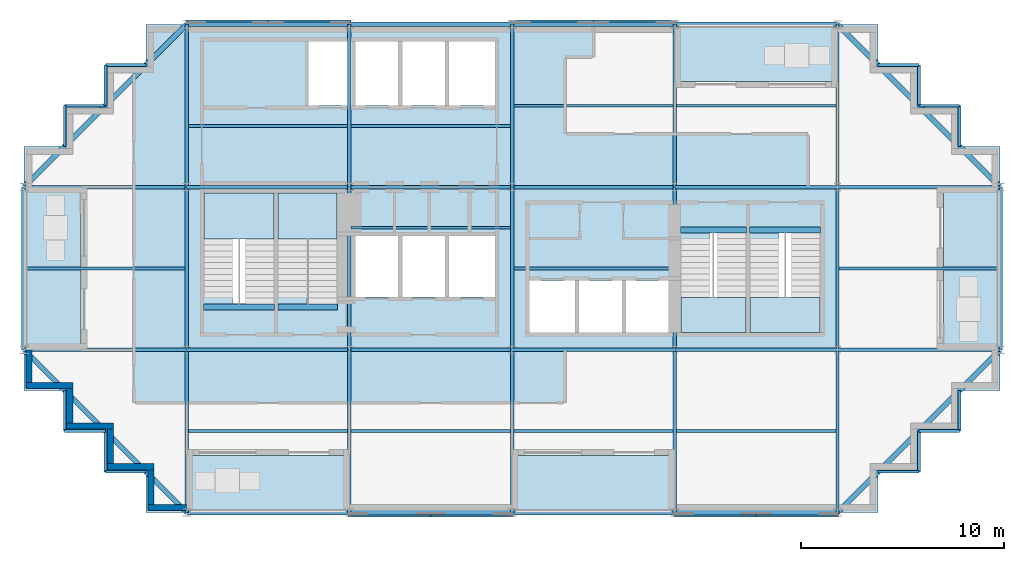
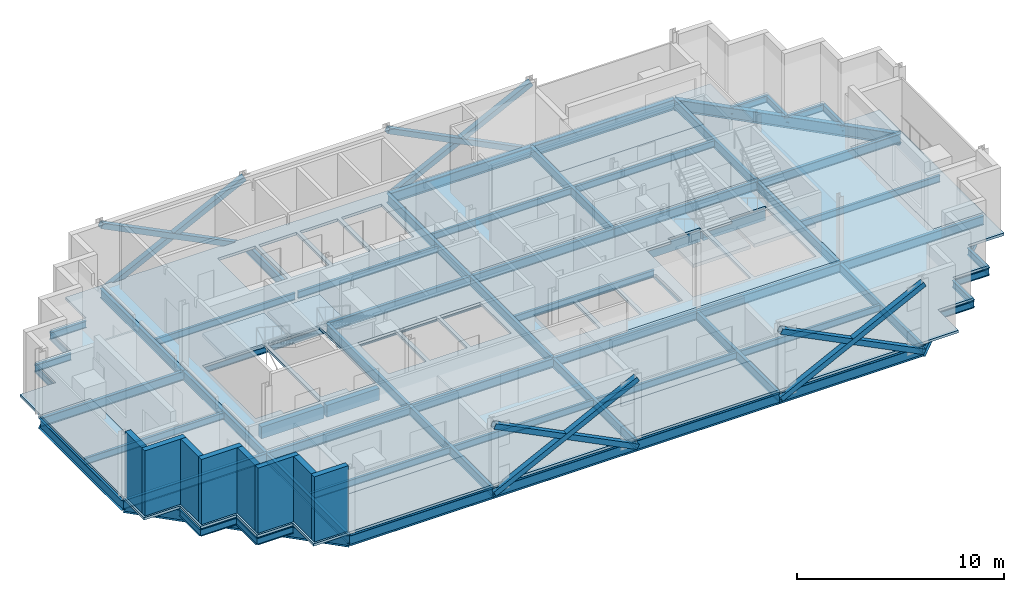
# One storey, part 3 of 9: 73 beams, 12 slabs, 8 members, 8 walls, 4 elements without a shape of their own.
"""IFC4 building model written with IfcOpenShell, lengths in metres."""

from ifc_helpers import new_model, si_unit, direction, frame, frame_2d, origin, origin_2d, place, context, subcontext, project, spatial, polyline, rectangle, hollow_rectangle, i_section, outline, extrude, material, layer, layer_set, material_profile, profile_set, type_object, element, aggregate, save


model = new_model("IFC4")

# Units and contexts
model_context = context("Model", 3, precision=1e-05, world=origin(), true_north=direction((0.0, 1.0)))
body_context = subcontext(model_context, "Body", "Model", "MODEL_VIEW")
ifc_project = project(units=[si_unit("LENGTHUNIT", "METRE"), si_unit("AREAUNIT", "SQUARE_METRE"), si_unit("VOLUMEUNIT", "CUBIC_METRE"), si_unit("PLANEANGLEUNIT", "RADIAN"), si_unit("MASSUNIT", "GRAM", prefix="KILO")], contexts=[model_context])

# Site, building, storey
site_placement = place(None, origin())
site = spatial("IfcSite", under=ifc_project, at=site_placement, CompositionType="ELEMENT")
building_placement = place(site_placement, origin())
building = spatial("IfcBuilding", under=site, at=building_placement, Name="Immortelle Media Tower", CompositionType="ELEMENT")
storey_placement = place(building_placement, frame((0.0, 0.0, 271.0)))
storey = spatial("IfcBuildingStorey", under=building, at=storey_placement, Name="L59", CompositionType="ELEMENT", Elevation=271.0)

# Members
ifc_material_1 = material(Name="Steel ASTM A500 Gr C", Category="steel")
ifc_material_profile_1 = material_profile(ifc_material_1, hollow_rectangle(XDim=0.304931640625, YDim=0.304931640625, WallThickness=0.011962890625, at=origin_2d()), Name="HSS12x12x1/2 brace")
ifc_profile_set_1 = profile_set([ifc_material_profile_1], Name="Steel ASTM A500 Gr C")
member_type = type_object("IfcMemberType", Name="HSS12x12x1/2 brace", PredefinedType="BRACE", material=ifc_profile_set_1)
for number, where, z_axis, x_axis, name in (
    (1, (16.0, -0.0625, -0.4560546875), (0.894197847985, 0.0, 0.447671987799), (0.0, 1.0, 0.0), "Brace A/3-4 A"),
    (2, (16.0, -0.0625, 3.549072265625), (0.894197847985, 0.0, -0.447671987799), (0.0, 1.0, 0.0), "Brace A/3-4 B"),
    (3, (32.0, -0.0625, -0.4560546875), (0.894197847985, 0.0, 0.447671987799), (0.0, 1.0, 0.0), "Brace A/5-6 A"),
    (4, (32.0, -0.0625, 3.549072265625), (0.894197847985, 0.0, -0.447671987799), (0.0, 1.0, 0.0), "Brace A/5-6 B"),
    (5, (32.0, 24.0625, -0.4560546875), (-0.894197847985, 0.0, 0.447671987799), (0.0, -1.0, 0.0), "Brace D/4-5 A"),
    (6, (32.0, 24.0625, 3.549072265625), (-0.894197847985, 0.0, -0.447671987799), (0.0, -1.0, 0.0), "Brace D/4-5 B"),
    (7, (16.0, 24.0625, -0.4560546875), (-0.894197847985, 0.0, 0.447671987799), (0.0, -1.0, 0.0), "Brace D/2-3 A"),
    (8, (16.0, 24.0625, 3.549072265625), (-0.894197847985, 0.0, -0.447671987799), (0.0, -1.0, 0.0), "Brace D/2-3 B"),
):
    element("IfcMember", number, at=place(storey_placement, frame(where, z_axis=z_axis, x_axis=x_axis)), inside=storey, type_object=member_type, Name=name, PredefinedType="BRACE", context=body_context, shape_type="SweptSolid", body=[
        extrude(hollow_rectangle(XDim=0.304931640625, YDim=0.304931640625, WallThickness=0.011962890625, at=origin_2d()), origin(), (0.0, 0.0, 1.0), 8.946533203125),
    ])

# Beams
ifc_material_2 = material(Name="Concrete C50/60", Category="concrete")
ifc_material_profile_2 = material_profile(ifc_material_2, rectangle(XDim=0.300048828125, YDim=0.699951171875, at=origin_2d()), Name="RC 300x700")
ifc_profile_set_2 = profile_set([ifc_material_profile_2], Name="Concrete C50/60")
beam_type_1 = type_object("IfcBeamType", Name="Stair trimmer beam 300 x 700", PredefinedType="BEAM", material=ifc_profile_set_2)
beam_1_placement = place(storey_placement, frame((8.830078125, 10.10498046875, -0.5), z_axis=(1.0, 0.0, 0.0), x_axis=(0.0, 1.0, 0.0)))
element("IfcBeam", 9, at=beam_1_placement, inside=storey, type_object=beam_type_1, Name="Stair trimmer beam SW1", PredefinedType="BEAM", context=body_context, shape_type="SweptSolid", body=[
    extrude(rectangle(XDim=0.300048828125, YDim=0.699951171875, at=origin_2d()), origin(), (0.0, 0.0, 1.0), 3.489990234375),
])
beam_2_placement = place(storey_placement, frame((12.47998046875, 10.10498046875, -0.5), z_axis=(1.0, 0.0, 0.0), x_axis=(0.0, 1.0, 0.0)))
element("IfcBeam", 10, at=beam_2_placement, inside=storey, type_object=beam_type_1, Name="Stair trimmer beam SW2", PredefinedType="BEAM", context=body_context, shape_type="SweptSolid", body=[
    extrude(rectangle(XDim=0.300048828125, YDim=0.699951171875, at=origin_2d()), origin(), (0.0, 0.0, 1.0), 2.93994140625),
])
beam_3_placement = place(storey_placement, frame((32.280029296875, 13.89501953125, -0.5), z_axis=(1.0, 0.0, 0.0), x_axis=(0.0, 1.0, 0.0)))
element("IfcBeam", 11, at=beam_3_placement, inside=storey, type_object=beam_type_1, Name="Stair trimmer beam SE1", PredefinedType="BEAM", context=body_context, shape_type="SweptSolid", body=[
    extrude(rectangle(XDim=0.300048828125, YDim=0.699951171875, at=origin_2d()), origin(), (0.0, 0.0, 1.0), 3.239990234375),
])
beam_4_placement = place(storey_placement, frame((35.679931640625, 13.89501953125, -0.5), z_axis=(1.0, 0.0, 0.0), x_axis=(0.0, 1.0, 0.0)))
element("IfcBeam", 12, at=beam_4_placement, inside=storey, type_object=beam_type_1, Name="Stair trimmer beam SE2", PredefinedType="BEAM", context=body_context, shape_type="SweptSolid", body=[
    extrude(rectangle(XDim=0.300048828125, YDim=0.699951171875, at=origin_2d()), origin(), (0.0, 0.0, 1.0), 3.489990234375),
])
ifc_material_3 = material(Name="Steel ASTM A992 Gr 50", Category="steel")
ifc_material_profile_3 = material_profile(ifc_material_3, i_section(OverallWidth=0.139892578125, OverallDepth=0.404052734375, WebThickness=0.007080078125, FlangeThickness=0.010986328125, at=origin_2d()), Name="W16x31")
ifc_profile_set_3 = profile_set([ifc_material_profile_3], Name="Steel ASTM A992 Gr 50")
beam_type_2 = type_object("IfcBeamType", Name="W16x31 secondary beam", PredefinedType="JOIST", material=ifc_profile_set_3)
for number, where, z_axis, x_axis, name in (
    (13, (8.08349609375, 4.0, -0.35205078125), (1.0, 0.0, 0.0), (0.0, 1.0, 0.0), "Beam A-B/2-3"),
    (14, (16.08349609375, 4.0, -0.35205078125), (1.0, 0.0, 0.0), (0.0, 1.0, 0.0), "Beam A-B/3-4"),
    (15, (24.08349609375, 4.0, -0.35205078125), (1.0, 0.0, 0.0), (0.0, 1.0, 0.0), "Beam A-B/4-5"),
    (16, (32.08349609375, 4.0, -0.35205078125), (1.0, 0.0, 0.0), (0.0, 1.0, 0.0), "Beam A-B/5-6"),
):
    element("IfcBeam", number, at=place(storey_placement, frame(where, z_axis=z_axis, x_axis=x_axis)), inside=storey, type_object=beam_type_2, Name=name, PredefinedType="JOIST", context=body_context, shape_type="SweptSolid", body=[
        extrude(i_section(OverallWidth=0.139892578125, OverallDepth=0.404052734375, WebThickness=0.007080078125, FlangeThickness=0.010986328125, at=origin_2d()), origin(), (0.0, 0.0, 1.0), 7.8330078125),
    ])
beam_5_placement = place(storey_placement, frame((0.114501953125, 12.0, -0.35205078125), z_axis=(1.0, 0.0, 0.0), x_axis=(0.0, 1.0, 0.0)))
element("IfcBeam", 17, at=beam_5_placement, inside=storey, type_object=beam_type_2, Name="Beam B-C/1-2", PredefinedType="JOIST", context=body_context, shape_type="SweptSolid", body=[
    extrude(i_section(OverallWidth=0.139892578125, OverallDepth=0.404052734375, WebThickness=0.007080078125, FlangeThickness=0.010986328125, at=origin_2d()), origin(), (0.0, 0.0, 1.0), 7.802001953125),
])
for number, where, z_axis, x_axis, name in (
    (18, (16.08349609375, 14.0, -0.35205078125), (1.0, 0.0, 0.0), (0.0, 1.0, 0.0), "Beam B-C/3-4"),
    (19, (24.08349609375, 12.0, -0.35205078125), (1.0, 0.0, 0.0), (0.0, 1.0, 0.0), "Beam B-C/4-5"),
):
    element("IfcBeam", number, at=place(storey_placement, frame(where, z_axis=z_axis, x_axis=x_axis)), inside=storey, type_object=beam_type_2, Name=name, PredefinedType="JOIST", context=body_context, shape_type="SweptSolid", body=[
        extrude(i_section(OverallWidth=0.139892578125, OverallDepth=0.404052734375, WebThickness=0.007080078125, FlangeThickness=0.010986328125, at=origin_2d()), origin(), (0.0, 0.0, 1.0), 7.8330078125),
    ])
beam_6_placement = place(storey_placement, frame((40.08349609375, 12.0, -0.35205078125), z_axis=(1.0, 0.0, 0.0), x_axis=(0.0, 1.0, 0.0)))
element("IfcBeam", 20, at=beam_6_placement, inside=storey, type_object=beam_type_2, Name="Beam B-C/6-7", PredefinedType="JOIST", context=body_context, shape_type="SweptSolid", body=[
    extrude(i_section(OverallWidth=0.139892578125, OverallDepth=0.404052734375, WebThickness=0.007080078125, FlangeThickness=0.010986328125, at=origin_2d()), origin(), (0.0, 0.0, 1.0), 7.802001953125),
])
for number, where, z_axis, x_axis, name in (
    (21, (8.08349609375, 19.0, -0.35205078125), (1.0, 0.0, 0.0), (0.0, 1.0, 0.0), "Beam C-D/2-3"),
    (22, (16.08349609375, 19.0, -0.35205078125), (1.0, 0.0, 0.0), (0.0, 1.0, 0.0), "Beam C-D/3-4"),
    (23, (24.08349609375, 20.0, -0.35205078125), (1.0, 0.0, 0.0), (0.0, 1.0, 0.0), "Beam C-D/4-5"),
    (24, (32.08349609375, 20.0, -0.35205078125), (1.0, 0.0, 0.0), (0.0, 1.0, 0.0), "Beam C-D/5-6"),
):
    element("IfcBeam", number, at=place(storey_placement, frame(where, z_axis=z_axis, x_axis=x_axis)), inside=storey, type_object=beam_type_2, Name=name, PredefinedType="JOIST", context=body_context, shape_type="SweptSolid", body=[
        extrude(i_section(OverallWidth=0.139892578125, OverallDepth=0.404052734375, WebThickness=0.007080078125, FlangeThickness=0.010986328125, at=origin_2d()), origin(), (0.0, 0.0, 1.0), 7.8330078125),
    ])
ifc_material_profile_4 = material_profile(ifc_material_3, i_section(OverallWidth=0.139892578125, OverallDepth=0.404052734375, WebThickness=0.007080078125, FlangeThickness=0.010986328125, at=origin_2d()), Name="W16x31")
ifc_profile_set_4 = profile_set([ifc_material_profile_4], Name="Steel ASTM A992 Gr 50")
beam_type_3 = type_object("IfcBeamType", Name="W16x31 serration edge beam", PredefinedType="SPANDREL", material=ifc_profile_set_4)
for number, where, z_axis, x_axis, name in (
    (25, (6.0, 2.0, -0.35205078125), (-1.0, 0.0, 0.0), (0.0, -1.0, 0.0), "Corner edge beam 1 at 1/A"),
    (26, (4.0, 2.0, -0.35205078125), (0.0, 1.0, 0.0), (-1.0, 0.0, 0.0), "Corner edge beam 2 at 1/A"),
    (27, (4.0, 4.0, -0.35205078125), (-1.0, 0.0, 0.0), (0.0, -1.0, 0.0), "Corner edge beam 3 at 1/A"),
    (28, (2.0, 4.0, -0.35205078125), (0.0, 1.0, 0.0), (-1.0, 0.0, 0.0), "Corner edge beam 4 at 1/A"),
    (29, (2.0, 18.0, -0.35205078125), (0.0, 1.0, 0.0), (-1.0, 0.0, 0.0), "Corner edge beam 1 at 1/D"),
    (30, (2.0, 20.0, -0.35205078125), (1.0, 0.0, 0.0), (0.0, 1.0, 0.0), "Corner edge beam 2 at 1/D"),
    (31, (4.0, 20.0, -0.35205078125), (0.0, 1.0, 0.0), (-1.0, 0.0, 0.0), "Corner edge beam 3 at 1/D"),
    (32, (4.0, 22.0, -0.35205078125), (1.0, 0.0, 0.0), (0.0, 1.0, 0.0), "Corner edge beam 4 at 1/D"),
    (33, (46.0, 6.0, -0.35205078125), (0.0, -1.0, 0.0), (1.0, 0.0, 0.0), "Corner edge beam 1 at 7/A"),
    (34, (46.0, 4.0, -0.35205078125), (-1.0, 0.0, 0.0), (0.0, -1.0, 0.0), "Corner edge beam 2 at 7/A"),
    (35, (44.0, 4.0, -0.35205078125), (0.0, -1.0, 0.0), (1.0, 0.0, 0.0), "Corner edge beam 3 at 7/A"),
    (36, (44.0, 2.0, -0.35205078125), (-1.0, 0.0, 0.0), (0.0, -1.0, 0.0), "Corner edge beam 4 at 7/A"),
    (37, (42.0, 22.0, -0.35205078125), (1.0, 0.0, 0.0), (0.0, 1.0, 0.0), "Corner edge beam 1 at 7/D"),
    (38, (44.0, 22.0, -0.35205078125), (0.0, -1.0, 0.0), (1.0, 0.0, 0.0), "Corner edge beam 2 at 7/D"),
    (39, (44.0, 20.0, -0.35205078125), (1.0, 0.0, 0.0), (0.0, 1.0, 0.0), "Corner edge beam 3 at 7/D"),
    (40, (46.0, 20.0, -0.35205078125), (0.0, -1.0, 0.0), (1.0, 0.0, 0.0), "Corner edge beam 4 at 7/D"),
):
    element("IfcBeam", number, at=place(storey_placement, frame(where, z_axis=z_axis, x_axis=x_axis)), inside=storey, type_object=beam_type_3, Name=name, PredefinedType="SPANDREL", context=body_context, shape_type="SweptSolid", body=[
        extrude(i_section(OverallWidth=0.139892578125, OverallDepth=0.404052734375, WebThickness=0.007080078125, FlangeThickness=0.010986328125, at=origin_2d()), origin(), (0.0, 0.0, 1.0), 2.0),
    ])
ifc_material_profile_5 = material_profile(ifc_material_3, i_section(OverallWidth=0.1669921875, OverallDepth=0.535888671875, WebThickness=0.010009765625, FlangeThickness=0.01708984375, at=origin_2d()), Name="W21x57")
ifc_profile_set_5 = profile_set([ifc_material_profile_5], Name="Steel ASTM A992 Gr 50")
beam_type_4 = type_object("IfcBeamType", Name="W21x57 girder", PredefinedType="BEAM", material=ifc_profile_set_5)
for number, where, z_axis, x_axis, name in (
    (41, (0.0, 8.0, -0.41796875), (1.0, 0.0, 0.0), (0.0, 1.0, 0.0), "Girder B/1-2"),
    (42, (0.0, 16.0, -0.41796875), (1.0, 0.0, 0.0), (0.0, 1.0, 0.0), "Girder C/1-2"),
    (43, (8.0, 0.0, -0.41796875), (0.0, 1.0, 0.0), (-1.0, 0.0, 0.0), "Girder 2/A-B"),
    (44, (8.0, 8.0, -0.41796875), (1.0, 0.0, 0.0), (0.0, 1.0, 0.0), "Girder B/2-3"),
    (45, (8.0, 8.0, -0.41796875), (0.0, 1.0, 0.0), (-1.0, 0.0, 0.0), "Girder 2/B-C"),
    (46, (8.0, 16.0, -0.41796875), (1.0, 0.0, 0.0), (0.0, 1.0, 0.0), "Girder C/2-3"),
    (47, (8.0, 16.0, -0.41796875), (0.0, 1.0, 0.0), (-1.0, 0.0, 0.0), "Girder 2/C-D"),
    (48, (16.0, 0.0, -0.41796875), (0.0, 1.0, 0.0), (-1.0, 0.0, 0.0), "Girder 3/A-B"),
    (49, (16.0, 8.0, -0.41796875), (1.0, 0.0, 0.0), (0.0, 1.0, 0.0), "Girder B/3-4"),
    (50, (16.0, 8.0, -0.41796875), (0.0, 1.0, 0.0), (-1.0, 0.0, 0.0), "Girder 3/B-C"),
    (51, (16.0, 16.0, -0.41796875), (1.0, 0.0, 0.0), (0.0, 1.0, 0.0), "Girder C/3-4"),
    (52, (16.0, 16.0, -0.41796875), (0.0, 1.0, 0.0), (-1.0, 0.0, 0.0), "Girder 3/C-D"),
    (53, (24.0, 0.0, -0.41796875), (0.0, 1.0, 0.0), (-1.0, 0.0, 0.0), "Girder 4/A-B"),
    (54, (24.0, 8.0, -0.41796875), (1.0, 0.0, 0.0), (0.0, 1.0, 0.0), "Girder B/4-5"),
    (55, (24.0, 8.0, -0.41796875), (0.0, 1.0, 0.0), (-1.0, 0.0, 0.0), "Girder 4/B-C"),
    (56, (24.0, 16.0, -0.41796875), (1.0, 0.0, 0.0), (0.0, 1.0, 0.0), "Girder C/4-5"),
    (57, (24.0, 16.0, -0.41796875), (0.0, 1.0, 0.0), (-1.0, 0.0, 0.0), "Girder 4/C-D"),
    (58, (32.0, 0.0, -0.41796875), (0.0, 1.0, 0.0), (-1.0, 0.0, 0.0), "Girder 5/A-B"),
    (59, (32.0, 8.0, -0.41796875), (1.0, 0.0, 0.0), (0.0, 1.0, 0.0), "Girder B/5-6"),
    (60, (32.0, 8.0, -0.41796875), (0.0, 1.0, 0.0), (-1.0, 0.0, 0.0), "Girder 5/B-C"),
    (61, (32.0, 16.0, -0.41796875), (1.0, 0.0, 0.0), (0.0, 1.0, 0.0), "Girder C/5-6"),
    (62, (32.0, 16.0, -0.41796875), (0.0, 1.0, 0.0), (-1.0, 0.0, 0.0), "Girder 5/C-D"),
    (63, (40.0, 0.0, -0.41796875), (0.0, 1.0, 0.0), (-1.0, 0.0, 0.0), "Girder 6/A-B"),
    (64, (40.0, 8.0, -0.41796875), (1.0, 0.0, 0.0), (0.0, 1.0, 0.0), "Girder B/6-7"),
    (65, (40.0, 8.0, -0.41796875), (0.0, 1.0, 0.0), (-1.0, 0.0, 0.0), "Girder 6/B-C"),
    (66, (40.0, 16.0, -0.41796875), (1.0, 0.0, 0.0), (0.0, 1.0, 0.0), "Girder C/6-7"),
    (67, (40.0, 16.0, -0.41796875), (0.0, 1.0, 0.0), (-1.0, 0.0, 0.0), "Girder 6/C-D"),
):
    element("IfcBeam", number, at=place(storey_placement, frame(where, z_axis=z_axis, x_axis=x_axis)), inside=storey, type_object=beam_type_4, Name=name, PredefinedType="BEAM", context=body_context, shape_type="SweptSolid", body=[
        extrude(i_section(OverallWidth=0.1669921875, OverallDepth=0.535888671875, WebThickness=0.010009765625, FlangeThickness=0.01708984375, at=origin_2d()), origin(), (0.0, 0.0, 1.0), 8.0),
    ])
ifc_material_profile_6 = material_profile(ifc_material_3, i_section(OverallWidth=0.22900390625, OverallDepth=0.612060546875, WebThickness=0.011962890625, FlangeThickness=0.02001953125, at=origin_2d()), Name="W24x84")
ifc_profile_set_6 = profile_set([ifc_material_profile_6], Name="Steel ASTM A992 Gr 50")
beam_type_5 = type_object("IfcBeamType", Name="W24x84 perimeter girder", PredefinedType="SPANDREL", material=ifc_profile_set_6)
for number, where, z_axis, x_axis, name in (
    (68, (0.0, 8.0, -0.4560546875), (0.0, 1.0, 0.0), (-1.0, 0.0, 0.0), "Girder 1/B-C"),
    (69, (8.0, 0.0, -0.4560546875), (1.0, 0.0, 0.0), (0.0, 1.0, 0.0), "Girder A/2-3"),
    (70, (8.0, 24.0, -0.4560546875), (1.0, 0.0, 0.0), (0.0, 1.0, 0.0), "Girder D/2-3"),
    (71, (16.0, 0.0, -0.4560546875), (1.0, 0.0, 0.0), (0.0, 1.0, 0.0), "Girder A/3-4"),
    (72, (16.0, 24.0, -0.4560546875), (1.0, 0.0, 0.0), (0.0, 1.0, 0.0), "Girder D/3-4"),
    (73, (24.0, 0.0, -0.4560546875), (1.0, 0.0, 0.0), (0.0, 1.0, 0.0), "Girder A/4-5"),
    (74, (24.0, 24.0, -0.4560546875), (1.0, 0.0, 0.0), (0.0, 1.0, 0.0), "Girder D/4-5"),
    (75, (32.0, 0.0, -0.4560546875), (1.0, 0.0, 0.0), (0.0, 1.0, 0.0), "Girder A/5-6"),
    (76, (32.0, 24.0, -0.4560546875), (1.0, 0.0, 0.0), (0.0, 1.0, 0.0), "Girder D/5-6"),
    (77, (48.0, 8.0, -0.4560546875), (0.0, 1.0, 0.0), (-1.0, 0.0, 0.0), "Girder 7/B-C"),
):
    element("IfcBeam", number, at=place(storey_placement, frame(where, z_axis=z_axis, x_axis=x_axis)), inside=storey, type_object=beam_type_5, Name=name, PredefinedType="SPANDREL", context=body_context, shape_type="SweptSolid", body=[
        extrude(i_section(OverallWidth=0.22900390625, OverallDepth=0.612060546875, WebThickness=0.011962890625, FlangeThickness=0.02001953125, at=origin_2d()), origin(), (0.0, 0.0, 1.0), 8.0),
    ])
ifc_material_profile_7 = material_profile(ifc_material_3, i_section(OverallWidth=0.2529296875, OverallDepth=0.677978515625, WebThickness=0.011962890625, FlangeThickness=0.01611328125, at=origin_2d()), Name="W27x84")
ifc_profile_set_7 = profile_set([ifc_material_profile_7], Name="Steel ASTM A992 Gr 50")
beam_type_6 = type_object("IfcBeamType", Name="W27x84 corner girder", PredefinedType="SPANDREL", material=ifc_profile_set_7)
for number, where, z_axis, x_axis, name in (
    (78, (8.0, 0.0, -0.489013671875), (-0.707106781187, 0.707106781187, 0.0), (-0.707106781187, -0.707106781187, 0.0), "Corner girder at 1/A"),
    (79, (0.0, 16.0, -0.489013671875), (0.707106781187, 0.707106781187, 0.0), (-0.707106781187, 0.707106781187, 0.0), "Corner girder at 1/D"),
    (80, (48.0, 8.0, -0.489013671875), (-0.707106781187, -0.707106781187, 0.0), (0.707106781187, -0.707106781187, 0.0), "Corner girder at 7/A"),
    (81, (40.0, 24.0, -0.489013671875), (0.707106781187, -0.707106781187, 0.0), (0.707106781187, 0.707106781187, 0.0), "Corner girder at 7/D"),
):
    element("IfcBeam", number, at=place(storey_placement, frame(where, z_axis=z_axis, x_axis=x_axis)), inside=storey, type_object=beam_type_6, Name=name, PredefinedType="SPANDREL", context=body_context, shape_type="SweptSolid", body=[
        extrude(i_section(OverallWidth=0.2529296875, OverallDepth=0.677978515625, WebThickness=0.011962890625, FlangeThickness=0.01611328125, at=origin_2d()), origin(), (0.0, 0.0, 1.0), 11.313720703125),
    ])

# Slabs
ifc_material_4 = material(Name="Concrete C50/60 composite deck", Category="concrete")
ifc_layer_1 = layer(ifc_material_4, 0.14990234375)
ifc_layer_set_1 = layer_set([ifc_layer_1], Name="Concrete C50/60 composite deck")
slab_type_1 = type_object("IfcSlabType", Name="Balcony slab 150", PredefinedType="FLOOR", material=ifc_layer_set_1)
slab_1_placement = place(storey_placement, frame((0.0, 0.0, -0.14990234375)))
element("IfcSlab", 82, at=slab_1_placement, inside=storey, type_object=slab_type_1, Name="Balcony slab L59 S0", PredefinedType="FLOOR", context=body_context, shape_type="SweptSolid", body=[
    extrude(outline(polyline([(16.0, 0.0), (16.0, 2.800048828125), (8.0, 2.800048828125), (8.0, 0.0), (16.0, 0.0)])), origin(), (0.0, 0.0, 1.0), 0.14990234375),
])
slab_2_placement = place(storey_placement, frame((0.0, 0.0, -0.14990234375)))
element("IfcSlab", 83, at=slab_2_placement, inside=storey, type_object=slab_type_1, Name="Balcony slab L59 S2", PredefinedType="FLOOR", context=body_context, shape_type="SweptSolid", body=[
    extrude(outline(polyline([(32.0, 0.0), (32.0, 2.800048828125), (24.0, 2.800048828125), (24.0, 0.0), (32.0, 0.0)])), origin(), (0.0, 0.0, 1.0), 0.14990234375),
])
slab_3_placement = place(storey_placement, frame((0.0, 0.0, -0.14990234375)))
element("IfcSlab", 84, at=slab_3_placement, inside=storey, type_object=slab_type_1, Name="Balcony slab L59 E0", PredefinedType="FLOOR", context=body_context, shape_type="SweptSolid", body=[
    extrude(outline(polyline([(48.0, 8.0), (48.0, 16.0), (45.199951171875, 16.0), (45.199951171875, 8.0), (48.0, 8.0)])), origin(), (0.0, 0.0, 1.0), 0.14990234375),
])
slab_4_placement = place(storey_placement, frame((0.0, 0.0, -0.14990234375)))
element("IfcSlab", 85, at=slab_4_placement, inside=storey, type_object=slab_type_1, Name="Balcony slab L59 N0", PredefinedType="FLOOR", context=body_context, shape_type="SweptSolid", body=[
    extrude(outline(polyline([(40.0, 21.199951171875), (40.0, 24.0), (32.0, 24.0), (32.0, 21.199951171875), (40.0, 21.199951171875)])), origin(), (0.0, 0.0, 1.0), 0.14990234375),
])
slab_5_placement = place(storey_placement, frame((0.0, 0.0, -0.14990234375)))
element("IfcSlab", 86, at=slab_5_placement, inside=storey, type_object=slab_type_1, Name="Balcony slab L59 W0", PredefinedType="FLOOR", context=body_context, shape_type="SweptSolid", body=[
    extrude(outline(polyline([(2.800048828125, 8.0), (2.800048828125, 16.0), (0.0, 16.0), (0.0, 8.0), (2.800048828125, 8.0)])), origin(), (0.0, 0.0, 1.0), 0.14990234375),
])
ifc_layer_2 = layer(ifc_material_2, 0.14990234375)
ifc_layer_set_2 = layer_set([ifc_layer_2], Name="Concrete C50/60")
slab_type_2 = type_object("IfcSlabType", Name="Composite floor slab 150", PredefinedType="FLOOR", material=ifc_layer_set_2)
slab_6_placement = place(storey_placement, frame((0.0, 0.0, -0.14990234375)))
element("IfcSlab", 87, at=slab_6_placement, inside=storey, type_object=slab_type_2, Name="Floor slab L59", PredefinedType="FLOOR", context=body_context, shape_type="SweptSolid", body=[
    extrude(outline(polyline([(6.0, 0.0), (6.0, 2.0), (4.0, 2.0), (4.0, 4.0), (2.0, 4.0), (2.0, 6.0), (0.0, 6.0), (0.0, 8.0), (2.800048828125, 8.0), (2.800048828125, 16.0), (0.0, 16.0), (0.0, 18.0), (2.0, 18.0), (2.0, 20.0), (4.0, 20.0), (4.0, 22.0), (6.0, 22.0), (6.0, 24.0), (8.0, 24.0), (8.0, 8.0), (24.0, 8.0), (40.0, 8.0), (40.0, 16.0), (24.0, 16.0), (24.0, 21.199951171875), (24.0, 24.0), (32.0, 24.0), (32.0, 21.199951171875), (40.0, 21.199951171875), (40.0, 24.0), (42.0, 24.0), (42.0, 22.0), (44.0, 22.0), (44.0, 20.0), (46.0, 20.0), (46.0, 18.0), (48.0, 18.0), (48.0, 16.0), (45.199951171875, 16.0), (45.199951171875, 8.0), (48.0, 8.0), (48.0, 6.0), (46.0, 6.0), (46.0, 4.0), (44.0, 4.0), (44.0, 2.0), (42.0, 2.0), (42.0, 0.0), (32.0, 0.0), (32.0, 2.800048828125), (24.0, 2.800048828125), (24.0, 0.0), (16.0, 0.0), (16.0, 2.800048828125), (8.0, 2.800048828125), (8.0, 0.0), (6.0, 0.0)])), origin(), (0.0, 0.0, 1.0), 0.14990234375),
])
ifc_layer_3 = layer(ifc_material_2, 0.14990234375)
ifc_layer_set_3 = layer_set([ifc_layer_3], Name="Concrete C50/60")
slab_type_3 = type_object("IfcSlabType", Name="Core floor slab 150", PredefinedType="FLOOR", material=ifc_layer_set_3)
slab_7_placement = place(storey_placement, frame((0.0, 0.0, -0.14990234375)))
element("IfcSlab", 88, at=slab_7_placement, inside=storey, type_object=slab_type_3, Name="Core floor SW", PredefinedType="FLOOR", context=body_context, shape_type="SweptSolid", body=[
    extrude(outline(polyline([(8.0, 8.0), (24.0, 8.0), (24.0, 24.0), (8.0, 24.0), (8.0, 8.0)]), holes=[polyline([(14.0, 20.0), (16.10009765625, 20.0), (16.10009765625, 23.14990234375), (14.0, 23.14990234375), (14.0, 20.0)]), polyline([(16.300048828125, 20.0), (18.39990234375, 20.0), (18.39990234375, 23.14990234375), (16.300048828125, 23.14990234375), (16.300048828125, 20.0)]), polyline([(18.60009765625, 20.0), (20.699951171875, 20.0), (20.699951171875, 23.14990234375), (18.60009765625, 23.14990234375), (18.60009765625, 20.0)]), polyline([(20.89990234375, 20.0), (23.14990234375, 20.0), (23.14990234375, 23.14990234375), (20.89990234375, 23.14990234375), (20.89990234375, 20.0)]), polyline([(16.300048828125, 10.60009765625), (18.39990234375, 10.60009765625), (18.39990234375, 13.60009765625), (16.300048828125, 13.60009765625), (16.300048828125, 10.60009765625)]), polyline([(18.60009765625, 10.60009765625), (20.699951171875, 10.60009765625), (20.699951171875, 13.60009765625), (18.60009765625, 13.60009765625), (18.60009765625, 10.60009765625)]), polyline([(20.89990234375, 10.60009765625), (23.14990234375, 10.60009765625), (23.14990234375, 13.60009765625), (20.89990234375, 13.60009765625), (20.89990234375, 10.60009765625)]), polyline([(8.85009765625, 15.699951171875), (12.300048828125, 15.699951171875), (12.300048828125, 10.27001953125), (10.25, 10.27001953125), (10.25, 10.56005859375), (8.85009765625, 10.56005859375), (8.85009765625, 15.699951171875)]), polyline([(12.5, 15.699951171875), (15.39990234375, 15.699951171875), (15.39990234375, 10.27001953125), (13.89990234375, 10.27001953125), (13.89990234375, 10.56005859375), (12.5, 10.56005859375), (12.5, 15.699951171875)])]), origin(), (0.0, 0.0, 1.0), 0.14990234375),
])
slab_8_placement = place(storey_placement, frame((0.0, 0.0, -0.14990234375)))
element("IfcSlab", 89, at=slab_8_placement, inside=storey, type_object=slab_type_3, Name="Core floor SE", PredefinedType="FLOOR", context=body_context, shape_type="SweptSolid", body=[
    extrude(outline(polyline([(24.0, 8.0), (40.0, 8.0), (40.0, 16.0), (24.0, 16.0), (24.0, 8.0)]), holes=[polyline([(24.85009765625, 8.85009765625), (27.10009765625, 8.85009765625), (27.10009765625, 11.39990234375), (24.85009765625, 11.39990234375), (24.85009765625, 8.85009765625)]), polyline([(27.300048828125, 8.85009765625), (29.39990234375, 8.85009765625), (29.39990234375, 11.39990234375), (27.300048828125, 11.39990234375), (27.300048828125, 8.85009765625)]), polyline([(29.60009765625, 8.85009765625), (31.699951171875, 8.85009765625), (31.699951171875, 11.39990234375), (29.60009765625, 11.39990234375), (29.60009765625, 8.85009765625)]), polyline([(35.5, 13.72998046875), (35.5, 8.85009765625), (32.300048828125, 8.85009765625), (32.300048828125, 13.43994140625), (33.699951171875, 13.43994140625), (33.699951171875, 13.72998046875), (35.5, 13.72998046875)]), polyline([(39.14990234375, 13.72998046875), (39.14990234375, 8.85009765625), (35.699951171875, 8.85009765625), (35.699951171875, 13.43994140625), (37.10009765625, 13.43994140625), (37.10009765625, 13.72998046875), (39.14990234375, 13.72998046875)])]), origin(), (0.0, 0.0, 1.0), 0.14990234375),
])

# Stair, slab
stair_type = type_object("IfcStairType", Name="Stair with flights", PredefinedType="DOUBLE_RETURN_STAIR", material=ifc_material_3)
stair_1_placement = place(storey_placement, origin())
stair_1 = element("IfcStair", 90, at=stair_1_placement, inside=storey, type_object=stair_type, Name="Exit stair SW1", PredefinedType="DOUBLE_RETURN_STAIR")
ifc_material_5 = material(Name="Steel ASTM A572 Gr 50", Category="steel")
ifc_layer_4 = layer(ifc_material_5, 0.199951171875)
ifc_layer_set_4 = layer_set([ifc_layer_4], Name="Steel ASTM A572 Gr 50")
slab_type_4 = type_object("IfcSlabType", Name="Stair landing 200", PredefinedType="LANDING", material=ifc_layer_set_4)
slab_9_placement = place(storey_placement, frame((0.0, 0.0, 1.713134765625)))
slab_9 = element("IfcSlab", 91, at=slab_9_placement, type_object=slab_type_4, Name="ST SW1 landing 1", PredefinedType="LANDING", context=body_context, shape_type="SweptSolid", body=[
    extrude(outline(polyline([(8.85009765625, 13.43994140625), (12.300048828125, 13.43994140625), (12.300048828125, 15.699951171875), (8.85009765625, 15.699951171875), (8.85009765625, 13.43994140625)])), origin(), (0.0, 0.0, 1.0), 0.199951171875),
])
aggregate(stair_1, [slab_9])

stair_2_placement = place(storey_placement, origin())
stair_2 = element("IfcStair", 92, at=stair_2_placement, inside=storey, type_object=stair_type, Name="Exit stair SW2", PredefinedType="DOUBLE_RETURN_STAIR")
slab_10_placement = place(storey_placement, frame((0.0, 0.0, 1.713134765625)))
slab_10 = element("IfcSlab", 93, at=slab_10_placement, type_object=slab_type_4, Name="ST SW2 landing 1", PredefinedType="LANDING", context=body_context, shape_type="SweptSolid", body=[
    extrude(outline(polyline([(12.5, 13.43994140625), (15.39990234375, 13.43994140625), (15.39990234375, 15.699951171875), (12.5, 15.699951171875), (12.5, 13.43994140625)])), origin(), (0.0, 0.0, 1.0), 0.199951171875),
])
aggregate(stair_2, [slab_10])

stair_3_placement = place(storey_placement, origin())
stair_3 = element("IfcStair", 94, at=stair_3_placement, inside=storey, type_object=stair_type, Name="Exit stair SE1", PredefinedType="DOUBLE_RETURN_STAIR")
slab_11_placement = place(storey_placement, frame((0.0, 0.0, 1.713134765625)))
slab_11 = element("IfcSlab", 95, at=slab_11_placement, type_object=slab_type_4, Name="ST SE1 landing 1", PredefinedType="LANDING", context=body_context, shape_type="SweptSolid", body=[
    extrude(outline(polyline([(32.300048828125, 8.85009765625), (35.5, 8.85009765625), (35.5, 10.56005859375), (32.300048828125, 10.56005859375), (32.300048828125, 8.85009765625)])), origin(), (0.0, 0.0, 1.0), 0.199951171875),
])
aggregate(stair_3, [slab_11])

stair_4_placement = place(storey_placement, origin())
stair_4 = element("IfcStair", 96, at=stair_4_placement, inside=storey, type_object=stair_type, Name="Exit stair SE2", PredefinedType="DOUBLE_RETURN_STAIR")
slab_12_placement = place(storey_placement, frame((0.0, 0.0, 1.713134765625)))
slab_12 = element("IfcSlab", 97, at=slab_12_placement, type_object=slab_type_4, Name="ST SE2 landing 1", PredefinedType="LANDING", context=body_context, shape_type="SweptSolid", body=[
    extrude(outline(polyline([(35.699951171875, 8.85009765625), (39.14990234375, 8.85009765625), (39.14990234375, 10.56005859375), (35.699951171875, 10.56005859375), (35.699951171875, 8.85009765625)])), origin(), (0.0, 0.0, 1.0), 0.199951171875),
])
aggregate(stair_4, [slab_12])

# Walls
ifc_material_6 = material(Name="Pale aluminium cladding panel", Category="aluminium")
ifc_layer_5 = layer(ifc_material_6, 0.030029296875)
ifc_material_7 = material(Name="Steel ASTM A653 SS Gr 50 stud frame with mineral wool", Category="steel")
ifc_layer_6 = layer(ifc_material_7, 0.257568359375)
ifc_material_8 = material(Name="Moisture-resistant gypsum board", Category="gypsum")
ifc_layer_7 = layer(ifc_material_8, 0.012451171875)
ifc_layer_set_5 = layer_set([ifc_layer_5, ifc_layer_6, ifc_layer_7], Name="Steel ASTM A653 SS Gr 50 stud frame with mineral wool")
wall_type = type_object("IfcWallType", Name="Facade wall 300", PredefinedType="SOLIDWALL", material=ifc_layer_set_5)
wall_1_placement = place(storey_placement, frame((0.10009765625, 6.25, 0.0), z_axis=(0.0, 0.0, 1.0), x_axis=(1.0, 0.0, 0.0)))
element("IfcWall", 98, at=wall_1_placement, inside=storey, type_object=wall_type, Name="Facade wall L59 S0", PredefinedType="SOLIDWALL", context=body_context, shape_type="SweptSolid", body=[
    extrude(rectangle(XDim=2.2998046875, YDim=0.300048828125, at=frame_2d((1.14990234375, 0.0))), origin(), (0.0, 0.0, 1.0), 3.85009765625),
])
wall_2_placement = place(storey_placement, frame((2.25, 6.10009765625, 0.0), z_axis=(0.0, 0.0, 1.0), x_axis=(0.0, -1.0, 0.0)))
element("IfcWall", 99, at=wall_2_placement, inside=storey, type_object=wall_type, Name="Facade wall L59 W1", PredefinedType="SOLIDWALL", context=body_context, shape_type="SweptSolid", body=[
    extrude(rectangle(XDim=1.7001953125, YDim=0.300048828125, at=frame_2d((0.85009765625, 0.0))), origin(), (0.0, 0.0, 1.0), 3.85009765625),
])
wall_3_placement = place(storey_placement, frame((2.10009765625, 4.25, 0.0), z_axis=(0.0, 0.0, 1.0), x_axis=(1.0, 0.0, 0.0)))
element("IfcWall", 100, at=wall_3_placement, inside=storey, type_object=wall_type, Name="Facade wall L59 S2", PredefinedType="SOLIDWALL", context=body_context, shape_type="SweptSolid", body=[
    extrude(rectangle(XDim=2.2998046875, YDim=0.300048828125, at=frame_2d((1.14990234375, 0.0))), origin(), (0.0, 0.0, 1.0), 3.85009765625),
])
wall_4_placement = place(storey_placement, frame((4.25, 4.10009765625, 0.0), z_axis=(0.0, 0.0, 1.0), x_axis=(0.0, -1.0, 0.0)))
element("IfcWall", 101, at=wall_4_placement, inside=storey, type_object=wall_type, Name="Facade wall L59 W3", PredefinedType="SOLIDWALL", context=body_context, shape_type="SweptSolid", body=[
    extrude(rectangle(XDim=1.7001953125, YDim=0.300048828125, at=frame_2d((0.85009765625, 0.0))), origin(), (0.0, 0.0, 1.0), 3.85009765625),
])
wall_5_placement = place(storey_placement, frame((4.10009765625, 2.25, 0.0), z_axis=(0.0, 0.0, 1.0), x_axis=(1.0, 0.0, 0.0)))
element("IfcWall", 102, at=wall_5_placement, inside=storey, type_object=wall_type, Name="Facade wall L59 S4", PredefinedType="SOLIDWALL", context=body_context, shape_type="SweptSolid", body=[
    extrude(rectangle(XDim=2.2998046875, YDim=0.300048828125, at=frame_2d((1.14990234375, 0.0))), origin(), (0.0, 0.0, 1.0), 3.85009765625),
])
wall_6_placement = place(storey_placement, frame((6.25, 2.10009765625, 0.0), z_axis=(0.0, 0.0, 1.0), x_axis=(0.0, -1.0, 0.0)))
element("IfcWall", 103, at=wall_6_placement, inside=storey, type_object=wall_type, Name="Facade wall L59 W5", PredefinedType="SOLIDWALL", context=body_context, shape_type="SweptSolid", body=[
    extrude(rectangle(XDim=1.7001953125, YDim=0.300048828125, at=frame_2d((0.85009765625, 0.0))), origin(), (0.0, 0.0, 1.0), 3.85009765625),
])
wall_7_placement = place(storey_placement, frame((6.10009765625, 0.25, 0.0), z_axis=(0.0, 0.0, 1.0), x_axis=(1.0, 0.0, 0.0)))
element("IfcWall", 104, at=wall_7_placement, inside=storey, type_object=wall_type, Name="Facade wall L59 S6", PredefinedType="SOLIDWALL", context=body_context, shape_type="SweptSolid", body=[
    extrude(rectangle(XDim=1.89990234375, YDim=0.300048828125, at=frame_2d((0.949951171875, 0.0))), origin(), (0.0, 0.0, 1.0), 3.85009765625),
])
wall_8_placement = place(storey_placement, frame((0.25, 8.0, 0.0), z_axis=(0.0, 0.0, 1.0), x_axis=(0.0, -1.0, 0.0)))
element("IfcWall", 105, at=wall_8_placement, inside=storey, type_object=wall_type, Name="Facade wall L59 W27", PredefinedType="SOLIDWALL", context=body_context, shape_type="SweptSolid", body=[
    extrude(rectangle(XDim=1.60009765625, YDim=0.300048828125, at=frame_2d((0.800048828125, 0.0))), origin(), (0.0, 0.0, 1.0), 3.85009765625),
])

save(model, "model.ifc")
